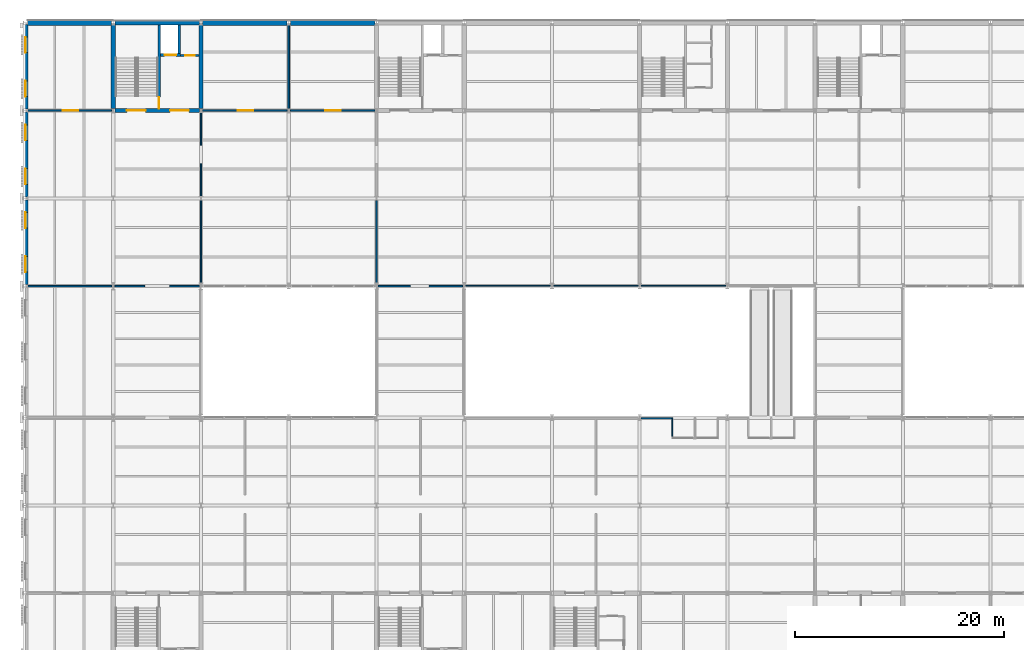
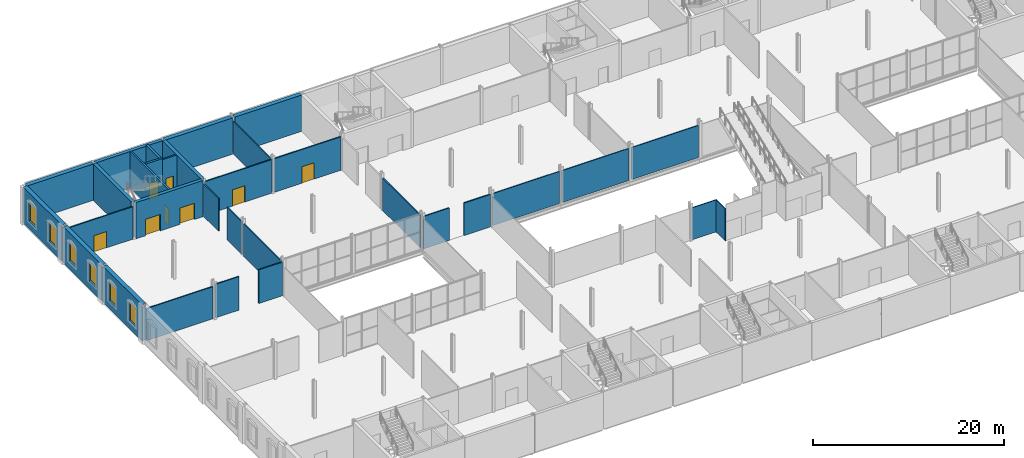
# One storey, part 29 of 57: 32 walls, 8 doors, 6 windows, 14 openings.
"""IFC4 building model written with IfcOpenShell, lengths in metres."""

from ifc_helpers import new_model, si_unit, direction, frame, frame_2d, origin, place, context, subcontext, project, spatial, rectangle, extrude, material, layer, layer_set, type_object, element, fill, save


model = new_model("IFC4")

# Units and contexts
model_context = context("Model", 3, precision=1e-05, world=origin(), true_north=direction((0.0, 1.0)))
body_context = subcontext(model_context, "Body", "Model", "MODEL_VIEW")
ifc_project = project(units=[si_unit("LENGTHUNIT", "METRE"), si_unit("AREAUNIT", "SQUARE_METRE"), si_unit("VOLUMEUNIT", "CUBIC_METRE"), si_unit("PLANEANGLEUNIT", "RADIAN"), si_unit("MASSUNIT", "GRAM", prefix="KILO")], contexts=[model_context])

# Site, building, storey
site_placement = place(None, origin())
site = spatial("IfcSite", under=ifc_project, at=site_placement, CompositionType="ELEMENT")
building_placement = place(site_placement, origin())
building = spatial("IfcBuilding", under=site, at=building_placement, Name="Galleria Vessillo Department Store", CompositionType="ELEMENT")
storey_placement = place(building_placement, frame((0.0, 0.0, 21.0)))
storey = spatial("IfcBuildingStorey", under=building, at=storey_placement, Name="L04", CompositionType="ELEMENT", Elevation=21.0)

# Walls
ifc_material_1 = material(Name="Fire-resisting glass in steel frame S355 J2", Category="steel")
ifc_layer_1 = layer(ifc_material_1, 0.10009765625)
ifc_layer_set_1 = layer_set([ifc_layer_1], Name="Fire-resisting glass in steel frame S355 J2")
wall_type_1 = type_object("IfcWallType", Name="Fire-resisting glazed screen EI 120-Sa 100 mm", PredefinedType="PARTITIONING", material=ifc_layer_set_1)
wall_1_placement = place(storey_placement, frame((58.952880859375, 25.14990234375, 0.0), z_axis=(0.0, 0.0, 1.0), x_axis=(1.0, 0.0, 0.0)))
element("IfcWall", 1, at=wall_1_placement, inside=storey, type_object=wall_type_1, Name="Fire screen, atrium edge L04", PredefinedType="PARTITIONING", context=body_context, shape_type="SweptSolid", body=[
    extrude(rectangle(XDim=2.897216796875, YDim=0.10009765625, at=frame_2d((1.44873046875, 0.0))), origin(), (0.0, 0.0, 1.0), 4.110107421875),
])
wall_2_placement = place(storey_placement, frame((42.152587890625, 37.85009765625, 0.0), z_axis=(0.0, 0.0, 1.0), x_axis=(1.0, 0.0, 0.0)))
element("IfcWall", 2, at=wall_2_placement, inside=storey, type_object=wall_type_1, Name="Fire screen, atrium edge L04", PredefinedType="PARTITIONING", context=body_context, shape_type="SweptSolid", body=[
    extrude(rectangle(XDim=8.094482421875, YDim=0.10009765625, at=frame_2d((4.04736328125, 0.0))), origin(), (0.0, 0.0, 1.0), 4.110107421875),
])
wall_3_placement = place(storey_placement, frame((50.552978515625, 37.85009765625, 0.0), z_axis=(0.0, 0.0, 1.0), x_axis=(1.0, 0.0, 0.0)))
element("IfcWall", 3, at=wall_3_placement, inside=storey, type_object=wall_type_1, Name="Fire screen, atrium edge L04", PredefinedType="PARTITIONING", context=body_context, shape_type="SweptSolid", body=[
    extrude(rectangle(XDim=8.093994140625, YDim=0.10009765625, at=frame_2d((4.046875, 0.0))), origin(), (0.0, 0.0, 1.0), 4.110107421875),
])
wall_4_placement = place(storey_placement, frame((58.952880859375, 37.85009765625, 0.0), z_axis=(0.0, 0.0, 1.0), x_axis=(1.0, 0.0, 0.0)))
element("IfcWall", 4, at=wall_4_placement, inside=storey, type_object=wall_type_1, Name="Fire screen, atrium edge L04", PredefinedType="PARTITIONING", context=body_context, shape_type="SweptSolid", body=[
    extrude(rectangle(XDim=8.09423828125, YDim=0.10009765625, at=frame_2d((4.047119140625, 0.0))), origin(), (0.0, 0.0, 1.0), 4.110107421875),
])
wall_5_placement = place(storey_placement, frame((61.900146484375, 25.199951171875, 0.0), z_axis=(0.0, 0.0, 1.0), x_axis=(0.0, -1.0, 0.0)))
element("IfcWall", 5, at=wall_5_placement, inside=storey, type_object=wall_type_1, Name="Fire screen, landing alcove side L04", PredefinedType="PARTITIONING", context=body_context, shape_type="SweptSolid", body=[
    extrude(rectangle(XDim=2.0, YDim=0.10009765625, at=frame_2d((1.0, 0.0))), origin(), (0.0, 0.0, 1.0), 4.110107421875),
])

# Wall, opening, door
ifc_material_2 = material(Name="Solid clay block masonry", Category="masonry")
ifc_layer_2 = layer(ifc_material_2, 0.25)
ifc_layer_set_2 = layer_set([ifc_layer_2], Name="Solid clay block masonry")
wall_type_2 = type_object("IfcWallType", Name="Lift shaft wall 250 mm", PredefinedType="SOLIDWALL", material=ifc_layer_set_2)
wall_6_placement = place(storey_placement, frame((12.89990234375, 59.925048828125, 0.0), z_axis=(0.0, 0.0, 1.0), x_axis=(1.0, 0.0, 0.0)))
wall_6 = element("IfcWall", 6, at=wall_6_placement, inside=storey, type_object=wall_type_2, Name="Lift shaft wall LP2 landing side L04", PredefinedType="SOLIDWALL", context=body_context, shape_type="SweptSolid", body=[
    extrude(rectangle(XDim=1.9501953125, YDim=0.25, at=frame_2d((0.97509765625, 0.0))), origin(), (0.0, 0.0, 1.0), 4.800048828125),
])
opening_1_placement = place(wall_6_placement, frame((0.425048828125, 0.0, 0.0)))
opening_1 = element("IfcOpeningElement", 7, at=opening_1_placement, cuts=wall_6, Name="Opening LD015", PredefinedType="OPENING", context=body_context, shape_type="SweptSolid", body=[
    extrude(rectangle(XDim=1.10009765625, YDim=2.10009765625, at=frame_2d((0.550048828125, 1.050048828125))), frame((0.0, 0.135009765625, 0.0), z_axis=(0.0, -1.0, 0.0), x_axis=(1.0, 0.0, 0.0)), (0.0, 0.0, 1.0), 0.27001953125),
])
ifc_material_3 = material(Name="Stainless steel lift door panel", Category="steel")
door_type_1 = type_object("IfcDoorType", Name="Lift landing door LD110 sliding 1100 x 2100", OperationType="SLIDING_TO_LEFT", PredefinedType="DOOR", material=ifc_material_3)
door_1_placement = place(opening_1_placement, frame((1.10009765625, 0.0, 0.0), z_axis=(0.0, 0.0, 1.0), x_axis=(-1.0, 0.0, 0.0)))
door_1 = element("IfcDoor", 8, at=door_1_placement, inside=storey, type_object=door_type_1, Name="Lift landing door LP2 L04", OperationType="SLIDING_TO_RIGHT", OverallHeight=2.10009765625, OverallWidth=1.10009765625, PredefinedType="DOOR", context=body_context, shape_type="SweptSolid", body=[
    extrude(rectangle(XDim=1.10009765625, YDim=2.10009765625, at=frame_2d((0.550048828125, 1.050048828125))), frame((0.0, 0.02490234375, 0.0), z_axis=(0.0, -1.0, 0.0), x_axis=(1.0, 0.0, 0.0)), (0.0, 0.0, 1.0), 0.050048828125),
])
fill(opening_1, door_1)

# Wall
wall_7_placement = place(storey_placement, frame((14.72509765625, 62.800048828125, 0.0), z_axis=(0.0, 0.0, 1.0), x_axis=(0.0, -1.0, 0.0)))
element("IfcWall", 9, at=wall_7_placement, inside=storey, type_object=wall_type_2, Name="Lift shaft wall LP2 L04", PredefinedType="SOLIDWALL", context=body_context, shape_type="SweptSolid", body=[
    extrude(rectangle(XDim=2.75, YDim=0.25, at=frame_2d((1.375, 0.0))), origin(), (0.0, 0.0, 1.0), 4.800048828125),
])

# Wall, openings, windows
ifc_material_4 = material(Name="Reinforced masonry, limestone units 80 MPa", Category="masonry")
ifc_layer_3 = layer(ifc_material_4, 0.5)
ifc_layer_set_3 = layer_set([ifc_layer_3], Name="Reinforced masonry, limestone units 80 MPa")
wall_type_3 = type_object("IfcWallType", Name="Load-bearing limestone-faced wall 500 mm", PredefinedType="STANDARD", material=ifc_layer_set_3)
wall_8_placement = place(storey_placement, frame((0.0, 37.949951171875, 0.0), z_axis=(0.0, 0.0, 1.0), x_axis=(0.0, 1.0, 0.0)))
wall_8 = element("IfcWall", 10, at=wall_8_placement, inside=storey, type_object=wall_type_3, Name="Load-bearing limestone-faced wall 500 mm SW-L04-05", PredefinedType="STANDARD", context=body_context, shape_type="SweptSolid", body=[
    extrude(rectangle(XDim=8.10009765625, YDim=0.5, at=frame_2d((4.050048828125, 0.0))), origin(), (0.0, 0.0, 1.0), 4.650146484375),
])
opening_2_placement = place(wall_8_placement, frame((1.199951171875, 0.0, 1.0)))
opening_2 = element("IfcOpeningElement", 11, at=opening_2_placement, cuts=wall_8, Name="Opening W048", PredefinedType="OPENING", context=body_context, shape_type="SweptSolid", body=[
    extrude(rectangle(XDim=1.5, YDim=2.39990234375, at=frame_2d((0.75, 1.199951171875))), frame((0.0, 0.260009765625, 0.0), z_axis=(0.0, -1.0, 0.0), x_axis=(1.0, 0.0, 0.0)), (0.0, 0.0, 1.0), 0.52001953125),
])
opening_3_placement = place(wall_8_placement, frame((5.400146484375, 0.0, 1.0)))
opening_3 = element("IfcOpeningElement", 12, at=opening_3_placement, cuts=wall_8, Name="Opening W049", PredefinedType="OPENING", context=body_context, shape_type="SweptSolid", body=[
    extrude(rectangle(XDim=1.5, YDim=2.39990234375, at=frame_2d((0.75, 1.199951171875))), frame((0.0, 0.260009765625, 0.0), z_axis=(0.0, -1.0, 0.0), x_axis=(1.0, 0.0, 0.0)), (0.0, 0.0, 1.0), 0.52001953125),
])
ifc_material_5 = material(Name="Aluminium frame with laminated glass 44.2", Category="aluminium")
window_type = type_object("IfcWindowType", Name="Third order window 1500 x 2400", PartitioningType="SINGLE_PANEL", PredefinedType="WINDOW", material=ifc_material_5)
window_1_placement = place(opening_2_placement, origin())
window_1 = element("IfcWindow", 13, at=window_1_placement, inside=storey, type_object=window_type, Name="E-WIN-SW-L04-05-048", OverallHeight=2.39990234375, OverallWidth=1.5, PartitioningType="SINGLE_PANEL", PredefinedType="WINDOW", context=body_context, shape_type="SweptSolid", body=[
    extrude(rectangle(XDim=1.5, YDim=2.39990234375, at=frame_2d((0.75, 1.199951171875))), frame((0.0, 0.030029296875, 0.0), z_axis=(0.0, -1.0, 0.0), x_axis=(1.0, 0.0, 0.0)), (0.0, 0.0, 1.0), 0.06005859375),
])
fill(opening_2, window_1)
window_2_placement = place(opening_3_placement, origin())
window_2 = element("IfcWindow", 14, at=window_2_placement, inside=storey, type_object=window_type, Name="E-WIN-SW-L04-05-049", OverallHeight=2.39990234375, OverallWidth=1.5, PartitioningType="SINGLE_PANEL", PredefinedType="WINDOW", context=body_context, shape_type="SweptSolid", body=[
    extrude(rectangle(XDim=1.5, YDim=2.39990234375, at=frame_2d((0.75, 1.199951171875))), frame((0.0, 0.030029296875, 0.0), z_axis=(0.0, -1.0, 0.0), x_axis=(1.0, 0.0, 0.0)), (0.0, 0.0, 1.0), 0.06005859375),
])
fill(opening_3, window_2)

wall_9_placement = place(storey_placement, frame((0.0, 46.349853515625, 0.0), z_axis=(0.0, 0.0, 1.0), x_axis=(0.0, 1.0, 0.0)))
wall_9 = element("IfcWall", 15, at=wall_9_placement, inside=storey, type_object=wall_type_3, Name="Load-bearing limestone-faced wall 500 mm SW-L04-06", PredefinedType="STANDARD", context=body_context, shape_type="SweptSolid", body=[
    extrude(rectangle(XDim=8.100341796875, YDim=0.5, at=frame_2d((4.05029296875, 0.0))), origin(), (0.0, 0.0, 1.0), 4.650146484375),
])
opening_4_placement = place(wall_9_placement, frame((1.2001953125, 0.0, 1.0)))
opening_4 = element("IfcOpeningElement", 16, at=opening_4_placement, cuts=wall_9, Name="Opening W050", PredefinedType="OPENING", context=body_context, shape_type="SweptSolid", body=[
    extrude(rectangle(XDim=1.5, YDim=2.39990234375, at=frame_2d((0.75, 1.199951171875))), frame((0.0, 0.260009765625, 0.0), z_axis=(0.0, -1.0, 0.0), x_axis=(1.0, 0.0, 0.0)), (0.0, 0.0, 1.0), 0.52001953125),
])
opening_5_placement = place(wall_9_placement, frame((5.400146484375, 0.0, 1.0)))
opening_5 = element("IfcOpeningElement", 17, at=opening_5_placement, cuts=wall_9, Name="Opening W051", PredefinedType="OPENING", context=body_context, shape_type="SweptSolid", body=[
    extrude(rectangle(XDim=1.5, YDim=2.39990234375, at=frame_2d((0.75, 1.199951171875))), frame((0.0, 0.260009765625, 0.0), z_axis=(0.0, -1.0, 0.0), x_axis=(1.0, 0.0, 0.0)), (0.0, 0.0, 1.0), 0.52001953125),
])
window_3_placement = place(opening_4_placement, origin())
window_3 = element("IfcWindow", 18, at=window_3_placement, inside=storey, type_object=window_type, Name="E-WIN-SW-L04-06-050", OverallHeight=2.39990234375, OverallWidth=1.5, PartitioningType="SINGLE_PANEL", PredefinedType="WINDOW", context=body_context, shape_type="SweptSolid", body=[
    extrude(rectangle(XDim=1.5, YDim=2.39990234375, at=frame_2d((0.75, 1.199951171875))), frame((0.0, 0.030029296875, 0.0), z_axis=(0.0, -1.0, 0.0), x_axis=(1.0, 0.0, 0.0)), (0.0, 0.0, 1.0), 0.06005859375),
])
fill(opening_4, window_3)
window_4_placement = place(opening_5_placement, origin())
window_4 = element("IfcWindow", 19, at=window_4_placement, inside=storey, type_object=window_type, Name="E-WIN-SW-L04-06-051", OverallHeight=2.39990234375, OverallWidth=1.5, PartitioningType="SINGLE_PANEL", PredefinedType="WINDOW", context=body_context, shape_type="SweptSolid", body=[
    extrude(rectangle(XDim=1.5, YDim=2.39990234375, at=frame_2d((0.75, 1.199951171875))), frame((0.0, 0.030029296875, 0.0), z_axis=(0.0, -1.0, 0.0), x_axis=(1.0, 0.0, 0.0)), (0.0, 0.0, 1.0), 0.06005859375),
])
fill(opening_5, window_4)

wall_10_placement = place(storey_placement, frame((0.0, 54.75, 0.0), z_axis=(0.0, 0.0, 1.0), x_axis=(0.0, 1.0, 0.0)))
wall_10 = element("IfcWall", 20, at=wall_10_placement, inside=storey, type_object=wall_type_3, Name="Load-bearing limestone-faced wall 500 mm SW-L04-07", PredefinedType="STANDARD", context=body_context, shape_type="SweptSolid", body=[
    extrude(rectangle(XDim=8.10009765625, YDim=0.5, at=frame_2d((4.050048828125, 0.0))), origin(), (0.0, 0.0, 1.0), 4.650146484375),
])
opening_6_placement = place(wall_10_placement, frame((1.199951171875, 0.0, 1.0)))
opening_6 = element("IfcOpeningElement", 21, at=opening_6_placement, cuts=wall_10, Name="Opening W052", PredefinedType="OPENING", context=body_context, shape_type="SweptSolid", body=[
    extrude(rectangle(XDim=1.5, YDim=2.39990234375, at=frame_2d((0.75, 1.199951171875))), frame((0.0, 0.260009765625, 0.0), z_axis=(0.0, -1.0, 0.0), x_axis=(1.0, 0.0, 0.0)), (0.0, 0.0, 1.0), 0.52001953125),
])
opening_7_placement = place(wall_10_placement, frame((5.39990234375, 0.0, 1.0)))
opening_7 = element("IfcOpeningElement", 22, at=opening_7_placement, cuts=wall_10, Name="Opening W053", PredefinedType="OPENING", context=body_context, shape_type="SweptSolid", body=[
    extrude(rectangle(XDim=1.5, YDim=2.39990234375, at=frame_2d((0.75, 1.199951171875))), frame((0.0, 0.260009765625, 0.0), z_axis=(0.0, -1.0, 0.0), x_axis=(1.0, 0.0, 0.0)), (0.0, 0.0, 1.0), 0.52001953125),
])
window_5_placement = place(opening_6_placement, origin())
window_5 = element("IfcWindow", 23, at=window_5_placement, inside=storey, type_object=window_type, Name="E-WIN-SW-L04-07-052", OverallHeight=2.39990234375, OverallWidth=1.5, PartitioningType="SINGLE_PANEL", PredefinedType="WINDOW", context=body_context, shape_type="SweptSolid", body=[
    extrude(rectangle(XDim=1.5, YDim=2.39990234375, at=frame_2d((0.75, 1.199951171875))), frame((0.0, 0.030029296875, 0.0), z_axis=(0.0, -1.0, 0.0), x_axis=(1.0, 0.0, 0.0)), (0.0, 0.0, 1.0), 0.06005859375),
])
fill(opening_6, window_5)
window_6_placement = place(opening_7_placement, origin())
window_6 = element("IfcWindow", 24, at=window_6_placement, inside=storey, type_object=window_type, Name="E-WIN-SW-L04-07-053", OverallHeight=2.39990234375, OverallWidth=1.5, PartitioningType="SINGLE_PANEL", PredefinedType="WINDOW", context=body_context, shape_type="SweptSolid", body=[
    extrude(rectangle(XDim=1.5, YDim=2.39990234375, at=frame_2d((0.75, 1.199951171875))), frame((0.0, 0.030029296875, 0.0), z_axis=(0.0, -1.0, 0.0), x_axis=(1.0, 0.0, 0.0)), (0.0, 0.0, 1.0), 0.06005859375),
])
fill(opening_7, window_6)

# Wall, openings, doors
ifc_material_6 = material(Name="Concrete C32/40 reinforced", Category="concrete")
ifc_layer_4 = layer(ifc_material_6, 0.39990234375)
ifc_layer_set_4 = layer_set([ifc_layer_4], Name="Concrete C32/40 reinforced")
wall_type_4 = type_object("IfcWallType", Name="Reinforced concrete core wall 400 mm", PredefinedType="SHEAR", material=ifc_layer_set_4)
wall_11_placement = place(storey_placement, frame((8.5498046875, 54.60009765625, 0.0), z_axis=(0.0, 0.0, 1.0), x_axis=(1.0, 0.0, 0.0)))
wall_11 = element("IfcWall", 25, at=wall_11_placement, inside=storey, type_object=wall_type_4, Name="S-CW-PC-NW-INTERIOR-L04", PredefinedType="SHEAR", context=body_context, shape_type="SweptSolid", body=[
    extrude(rectangle(XDim=8.100341796875, YDim=0.39990234375, at=frame_2d((4.05029296875, 0.0))), origin(), (0.0, 0.0, 1.0), 4.650146484375),
])
opening_8_placement = place(wall_11_placement, frame((1.150146484375, 0.0, 0.0)))
opening_8 = element("IfcOpeningElement", 26, at=opening_8_placement, cuts=wall_11, Name="Opening D5059", PredefinedType="OPENING", context=body_context, shape_type="SweptSolid", body=[
    extrude(rectangle(XDim=1.800048828125, YDim=2.10009765625, at=frame_2d((0.89990234375, 1.050048828125))), frame((0.0, 0.2099609375, 0.0), z_axis=(0.0, -1.0, 0.0), x_axis=(1.0, 0.0, 0.0)), (0.0, 0.0, 1.0), 0.419921875),
])
opening_9_placement = place(wall_11_placement, frame((5.300048828125, 0.0, 0.0)))
opening_9 = element("IfcOpeningElement", 27, at=opening_9_placement, cuts=wall_11, Name="Opening D5060", PredefinedType="OPENING", context=body_context, shape_type="SweptSolid", body=[
    extrude(rectangle(XDim=1.800048828125, YDim=2.10009765625, at=frame_2d((0.89990234375, 1.050048828125))), frame((0.0, 0.2099609375, 0.0), z_axis=(0.0, -1.0, 0.0), x_axis=(1.0, 0.0, 0.0)), (0.0, 0.0, 1.0), 0.419921875),
])
ifc_material_7 = material(Name="Fire-rated steel door leaf", Category="steel")
door_type_2 = type_object("IfcDoorType", Name="Door D180F double leaf 1800 x 2100", OperationType="DOUBLE_DOOR_SINGLE_SWING", PredefinedType="DOOR", material=ifc_material_7)
door_2_placement = place(opening_8_placement, origin())
door_2 = element("IfcDoor", 28, at=door_2_placement, inside=storey, type_object=door_type_2, Name="Lobby door PC-NW-ST-FLOOR L04", OperationType="DOUBLE_DOOR_SINGLE_SWING", OverallHeight=2.10009765625, OverallWidth=1.800048828125, PredefinedType="DOOR", context=body_context, shape_type="SweptSolid", body=[
    extrude(rectangle(XDim=1.800048828125, YDim=2.10009765625, at=frame_2d((0.89990234375, 1.050048828125))), frame((0.0, 0.02490234375, 0.0), z_axis=(0.0, -1.0, 0.0), x_axis=(1.0, 0.0, 0.0)), (0.0, 0.0, 1.0), 0.050048828125),
])
fill(opening_8, door_2)
door_3_placement = place(opening_9_placement, origin())
door_3 = element("IfcDoor", 29, at=door_3_placement, inside=storey, type_object=door_type_2, Name="Lobby door PC-NW-LOBBY-FLOOR L04", OperationType="DOUBLE_DOOR_SINGLE_SWING", OverallHeight=2.10009765625, OverallWidth=1.800048828125, PredefinedType="DOOR", context=body_context, shape_type="SweptSolid", body=[
    extrude(rectangle(XDim=1.800048828125, YDim=2.10009765625, at=frame_2d((0.89990234375, 1.050048828125))), frame((0.0, 0.02490234375, 0.0), z_axis=(0.0, -1.0, 0.0), x_axis=(1.0, 0.0, 0.0)), (0.0, 0.0, 1.0), 0.050048828125),
])
fill(opening_9, door_3)

# Walls
wall_12_placement = place(storey_placement, frame((16.800048828125, 54.800048828125, 0.0), z_axis=(0.0, 0.0, 1.0), x_axis=(0.0, 1.0, 0.0)))
element("IfcWall", 30, at=wall_12_placement, inside=storey, type_object=wall_type_4, Name="S-CW-PC-NW-EAST-L04", PredefinedType="SHEAR", context=body_context, shape_type="SweptSolid", body=[
    extrude(rectangle(XDim=8.0, YDim=0.39990234375, at=frame_2d((4.0, 0.0))), origin(), (0.0, 0.0, 1.0), 4.650146484375),
])
ifc_material_8 = material(Name="Concrete C32/40 reinforced", Category="concrete")
ifc_layer_5 = layer(ifc_material_8, 0.39990234375)
ifc_layer_set_5 = layer_set([ifc_layer_5], Name="Concrete C32/40 reinforced")
wall_type_5 = type_object("IfcWallType", Name="Reinforced concrete core wall 400 mm, external", PredefinedType="SHEAR", material=ifc_layer_set_5)
wall_13_placement = place(storey_placement, frame((8.5498046875, 63.0, 0.0), z_axis=(0.0, 0.0, 1.0), x_axis=(1.0, 0.0, 0.0)))
element("IfcWall", 31, at=wall_13_placement, inside=storey, type_object=wall_type_5, Name="S-CW-PC-NW-PARTY-L04", PredefinedType="SHEAR", context=body_context, shape_type="SweptSolid", body=[
    extrude(rectangle(XDim=8.100341796875, YDim=0.39990234375, at=frame_2d((4.05029296875, 0.0))), origin(), (0.0, 0.0, 1.0), 4.650146484375),
])
wall_14_placement = place(storey_placement, frame((8.39990234375, 54.800048828125, 0.0), z_axis=(0.0, 0.0, 1.0), x_axis=(0.0, 1.0, 0.0)))
element("IfcWall", 32, at=wall_14_placement, inside=storey, type_object=wall_type_5, Name="S-CW-PC-NW-WEST-L04", PredefinedType="SHEAR", context=body_context, shape_type="SweptSolid", body=[
    extrude(rectangle(XDim=8.0, YDim=0.39990234375, at=frame_2d((4.0, 0.0))), origin(), (0.0, 0.0, 1.0), 4.650146484375),
])
ifc_material_9 = material(Name="Concrete C32/40 reinforced", Category="concrete")
ifc_layer_6 = layer(ifc_material_9, 0.5)
ifc_layer_set_6 = layer_set([ifc_layer_6], Name="Concrete C32/40 reinforced")
wall_type_6 = type_object("IfcWallType", Name="Reinforced concrete party wall 500 mm", PredefinedType="SHEAR", material=ifc_layer_set_6)
wall_15_placement = place(storey_placement, frame((0.199951171875, 63.0, 0.0), z_axis=(0.0, 0.0, 1.0), x_axis=(1.0, 0.0, 0.0)))
element("IfcWall", 33, at=wall_15_placement, inside=storey, type_object=wall_type_6, Name="S-PN-L04-01", PredefinedType="SHEAR", context=body_context, shape_type="SweptSolid", body=[
    extrude(rectangle(XDim=8.050048828125, YDim=0.5, at=frame_2d((4.02490234375, 0.0))), origin(), (0.0, 0.0, 1.0), 4.650146484375),
])
wall_16_placement = place(storey_placement, frame((16.949951171875, 63.0, 0.0), z_axis=(0.0, 0.0, 1.0), x_axis=(1.0, 0.0, 0.0)))
element("IfcWall", 34, at=wall_16_placement, inside=storey, type_object=wall_type_6, Name="S-PN-L04-02", PredefinedType="SHEAR", context=body_context, shape_type="SweptSolid", body=[
    extrude(rectangle(XDim=8.10009765625, YDim=0.5, at=frame_2d((4.050048828125, 0.0))), origin(), (0.0, 0.0, 1.0), 4.650146484375),
])
wall_17_placement = place(storey_placement, frame((25.349853515625, 63.0, 0.0), z_axis=(0.0, 0.0, 1.0), x_axis=(1.0, 0.0, 0.0)))
element("IfcWall", 35, at=wall_17_placement, inside=storey, type_object=wall_type_6, Name="S-PN-L04-03", PredefinedType="SHEAR", context=body_context, shape_type="SweptSolid", body=[
    extrude(rectangle(XDim=8.100341796875, YDim=0.5, at=frame_2d((4.05029296875, 0.0))), origin(), (0.0, 0.0, 1.0), 4.650146484375),
])

# Wall, opening, door
ifc_material_10 = material(Name="Concrete C32/40 reinforced", Category="concrete")
ifc_layer_7 = layer(ifc_material_10, 0.199951171875)
ifc_layer_set_7 = layer_set([ifc_layer_7], Name="Concrete C32/40 reinforced")
wall_type_7 = type_object("IfcWallType", Name="Reinforced concrete stair enclosure wall 200 mm", PredefinedType="SHEAR", material=ifc_layer_set_7)
wall_18_placement = place(storey_placement, frame((12.7998046875, 62.800048828125, 0.0), z_axis=(0.0, 0.0, 1.0), x_axis=(0.0, -1.0, 0.0)))
wall_18 = element("IfcWall", 36, at=wall_18_placement, inside=storey, type_object=wall_type_7, Name="Stair enclosure wall PC-NW L04", PredefinedType="SHEAR", context=body_context, shape_type="SweptSolid", body=[
    extrude(rectangle(XDim=8.0, YDim=0.199951171875, at=frame_2d((4.0, 0.0))), origin(), (0.0, 0.0, 1.0), 4.64990234375),
])
opening_10_placement = place(wall_18_placement, frame((6.89990234375, 0.0, 0.0)))
opening_10 = element("IfcOpeningElement", 37, at=opening_10_placement, cuts=wall_18, Name="Opening D5057", PredefinedType="OPENING", context=body_context, shape_type="SweptSolid", body=[
    extrude(rectangle(XDim=1.11009765625, YDim=2.10009765625, at=frame_2d((0.554931640625, 1.050048828125))), frame((0.0, 0.10986328125, 0.0), z_axis=(0.0, -1.0, 0.0), x_axis=(1.0, 0.0, 0.0)), (0.0, 0.0, 1.0), 0.219970703125),
])
ifc_material_11 = material(Name="Fire-rated steel door leaf", Category="steel")
door_type_3 = type_object("IfcDoorType", Name="Door D110F stair door 1100 x 2100", OperationType="SINGLE_SWING_LEFT", PredefinedType="DOOR", material=ifc_material_11)
door_4_placement = place(opening_10_placement, frame((1.10009765625, 0.0, 0.0), z_axis=(0.0, 0.0, 1.0), x_axis=(-1.0, 0.0, 0.0)))
door_4 = element("IfcDoor", 38, at=door_4_placement, inside=storey, type_object=door_type_3, Name="Stair door PC-NW-ST-LOBBY L04", OperationType="SINGLE_SWING_LEFT", OverallHeight=2.10009765625, OverallWidth=1.10009765625, PredefinedType="DOOR", context=body_context, shape_type="SweptSolid", body=[
    extrude(rectangle(XDim=1.10009765625, YDim=2.10009765625, at=frame_2d((0.550048828125, 1.050048828125))), frame((0.0, 0.02490234375, 0.0), z_axis=(0.0, -1.0, 0.0), x_axis=(1.0, 0.0, 0.0)), (0.0, 0.0, 1.0), 0.050048828125),
])
fill(opening_10, door_4)

ifc_material_12 = material(Name="Hollow clay block masonry", Category="masonry")
ifc_layer_8 = layer(ifc_material_12, 0.199951171875)
ifc_layer_set_8 = layer_set([ifc_layer_8], Name="Hollow clay block masonry")
wall_type_8 = type_object("IfcWallType", Name="Riser and service room wall 200 mm", PredefinedType="PARTITIONING", material=ifc_layer_set_8)
wall_19_placement = place(storey_placement, frame((14.85009765625, 59.900146484375, 0.0), z_axis=(0.0, 0.0, 1.0), x_axis=(1.0, 0.0, 0.0)))
wall_19 = element("IfcWall", 39, at=wall_19_placement, inside=storey, type_object=wall_type_8, Name="Riser wall PC-NW-RISER L04", PredefinedType="PARTITIONING", context=body_context, shape_type="SweptSolid", body=[
    extrude(rectangle(XDim=1.75, YDim=0.199951171875, at=frame_2d((0.875, 0.0))), origin(), (0.0, 0.0, 1.0), 4.64990234375),
])
opening_11_placement = place(wall_19_placement, frame((0.449951171875, 0.0, 0.0)))
opening_11 = element("IfcOpeningElement", 40, at=opening_11_placement, cuts=wall_19, Name="Opening D5058", PredefinedType="OPENING", context=body_context, shape_type="SweptSolid", body=[
    extrude(rectangle(XDim=0.89990234375, YDim=2.10009765625, at=frame_2d((0.449951171875, 1.050048828125))), frame((0.0, 0.10986328125, 0.0), z_axis=(0.0, -1.0, 0.0), x_axis=(1.0, 0.0, 0.0)), (0.0, 0.0, 1.0), 0.219970703125),
])
ifc_material_13 = material(Name="Fire-rated steel door leaf", Category="steel")
door_type_4 = type_object("IfcDoorType", Name="Door DR90 riser access 900 x 2100", OperationType="SINGLE_SWING_LEFT", PredefinedType="DOOR", material=ifc_material_13)
door_5_placement = place(opening_11_placement, origin())
door_5 = element("IfcDoor", 41, at=door_5_placement, inside=storey, type_object=door_type_4, Name="Riser door PC-NW-RISER-D L04", OperationType="SINGLE_SWING_RIGHT", OverallHeight=2.10009765625, OverallWidth=0.89990234375, PredefinedType="DOOR", context=body_context, shape_type="SweptSolid", body=[
    extrude(rectangle(XDim=0.89990234375, YDim=2.10009765625, at=frame_2d((0.449951171875, 1.050048828125))), frame((0.0, 0.02490234375, 0.0), z_axis=(0.0, -1.0, 0.0), x_axis=(1.0, 0.0, 0.0)), (0.0, 0.0, 1.0), 0.050048828125),
])
fill(opening_11, door_5)

# Walls
ifc_material_14 = material(Name="Gypsum board partition")
ifc_layer_9 = layer(ifc_material_14, 0.139892578125)
ifc_layer_set_9 = layer_set([ifc_layer_9], Name="Gypsum board partition")
wall_type_9 = type_object("IfcWallType", Name="Sales dividing wall 140 mm", PredefinedType="PARTITIONING", material=ifc_layer_set_9)
wall_20_placement = place(storey_placement, frame((16.800048828125, 38.134033203125, 0.0), z_axis=(0.0, 0.0, 1.0), x_axis=(0.0, 1.0, 0.0)))
element("IfcWall", 42, at=wall_20_placement, inside=storey, type_object=wall_type_9, Name="Partition wall PT3 on L04 no. 058", PredefinedType="PARTITIONING", context=body_context, shape_type="SweptSolid", body=[
    extrude(rectangle(XDim=7.865966796875, YDim=0.139892578125, at=frame_2d((3.93310546875, 0.0))), origin(), (0.0, 0.0, 1.0), 4.159912109375),
])
for number, where, z_axis, x_axis, name in (
    (43, (16.800048828125, 46.39990234375, 0.0), (0.0, 0.0, 1.0), (0.0, 1.0, 0.0), "Partition wall PT3 on L04 no. 059"),
    (44, (16.800048828125, 51.300048828125, 0.0), (0.0, 0.0, 1.0), (0.0, 1.0, 0.0), "Partition wall PT3 on L04 no. 060"),
):
    element("IfcWall", number, at=place(storey_placement, frame(where, z_axis=z_axis, x_axis=x_axis)), inside=storey, type_object=wall_type_9, Name=name, PredefinedType="PARTITIONING", context=body_context, shape_type="SweptSolid", body=[
        extrude(rectangle(XDim=3.10009765625, YDim=0.139892578125, at=frame_2d((1.550048828125, 0.0))), origin(), (0.0, 0.0, 1.0), 4.159912109375),
    ])
wall_21_placement = place(storey_placement, frame((0.199951171875, 37.800048828125, 0.0), z_axis=(0.0, 0.0, 1.0), x_axis=(1.0, 0.0, 0.0)))
element("IfcWall", 45, at=wall_21_placement, inside=storey, type_object=wall_type_9, Name="Partition wall PT3 on L04 no. 061", PredefinedType="PARTITIONING", context=body_context, shape_type="SweptSolid", body=[
    extrude(rectangle(XDim=8.04736328125, YDim=0.139892578125, at=frame_2d((4.023681640625, 0.0))), origin(), (0.0, 0.0, 1.0), 4.110107421875),
])
wall_22_placement = place(storey_placement, frame((8.552490234375, 37.800048828125, 0.0), z_axis=(0.0, 0.0, 1.0), x_axis=(1.0, 0.0, 0.0)))
element("IfcWall", 46, at=wall_22_placement, inside=storey, type_object=wall_type_9, Name="Partition wall PT3 on L04 no. 062", PredefinedType="PARTITIONING", context=body_context, shape_type="SweptSolid", body=[
    extrude(rectangle(XDim=2.849853515625, YDim=0.139892578125, at=frame_2d((1.4248046875, 0.0))), origin(), (0.0, 0.0, 1.0), 4.300048828125),
])
wall_23_placement = place(storey_placement, frame((13.802490234375, 37.800048828125, 0.0), z_axis=(0.0, 0.0, 1.0), x_axis=(1.0, 0.0, 0.0)))
element("IfcWall", 47, at=wall_23_placement, inside=storey, type_object=wall_type_9, Name="Partition wall PT3 on L04 no. 063", PredefinedType="PARTITIONING", context=body_context, shape_type="SweptSolid", body=[
    extrude(rectangle(XDim=2.844970703125, YDim=0.139892578125, at=frame_2d((1.42236328125, 0.0))), origin(), (0.0, 0.0, 1.0), 4.300048828125),
])
wall_24_placement = place(storey_placement, frame((33.60009765625, 38.110107421875, 0.0), z_axis=(0.0, 0.0, 1.0), x_axis=(0.0, 1.0, 0.0)))
element("IfcWall", 48, at=wall_24_placement, inside=storey, type_object=wall_type_9, Name="Partition wall PT3 on L04 no. 064", PredefinedType="PARTITIONING", context=body_context, shape_type="SweptSolid", body=[
    extrude(rectangle(XDim=7.889892578125, YDim=0.139892578125, at=frame_2d((3.94482421875, 0.0))), origin(), (0.0, 0.0, 1.0), 4.159912109375),
])
wall_25_placement = place(storey_placement, frame((33.752685546875, 37.800048828125, 0.0), z_axis=(0.0, 0.0, 1.0), x_axis=(1.0, 0.0, 0.0)))
element("IfcWall", 49, at=wall_25_placement, inside=storey, type_object=wall_type_9, Name="Partition wall PT3 on L04 no. 070", PredefinedType="PARTITIONING", context=body_context, shape_type="SweptSolid", body=[
    extrude(rectangle(XDim=3.099853515625, YDim=0.139892578125, at=frame_2d((1.5498046875, 0.0))), origin(), (0.0, 0.0, 1.0), 4.159912109375),
])
wall_26_placement = place(storey_placement, frame((38.652587890625, 37.800048828125, 0.0), z_axis=(0.0, 0.0, 1.0), x_axis=(1.0, 0.0, 0.0)))
element("IfcWall", 50, at=wall_26_placement, inside=storey, type_object=wall_type_9, Name="Partition wall PT3 on L04 no. 071", PredefinedType="PARTITIONING", context=body_context, shape_type="SweptSolid", body=[
    extrude(rectangle(XDim=3.19482421875, YDim=0.139892578125, at=frame_2d((1.597412109375, 0.0))), origin(), (0.0, 0.0, 1.0), 4.159912109375),
])
ifc_material_15 = material(Name="Concrete blockwork", Category="masonry")
ifc_layer_10 = layer(ifc_material_15, 0.14990234375)
ifc_layer_set_10 = layer_set([ifc_layer_10], Name="Concrete blockwork")
wall_type_10 = type_object("IfcWallType", Name="Stockroom blockwork wall 150 mm", PredefinedType="SOLIDWALL", material=ifc_layer_set_10)
wall_27_placement = place(storey_placement, frame((25.199951171875, 54.800048828125, 0.0), z_axis=(0.0, 0.0, 1.0), x_axis=(0.0, 1.0, 0.0)))
element("IfcWall", 51, at=wall_27_placement, inside=storey, type_object=wall_type_10, Name="Partition wall PT4 on L04 no. 028", PredefinedType="SOLIDWALL", context=body_context, shape_type="SweptSolid", body=[
    extrude(rectangle(XDim=8.0, YDim=0.14990234375, at=frame_2d((4.0, 0.0))), origin(), (0.0, 0.0, 1.0), 4.159912109375),
])

# Wall, opening, door
wall_28_placement = place(storey_placement, frame((16.949951171875, 54.60009765625, 0.0), z_axis=(0.0, 0.0, 1.0), x_axis=(1.0, 0.0, 0.0)))
wall_28 = element("IfcWall", 52, at=wall_28_placement, inside=storey, type_object=wall_type_10, Name="Partition wall PT4 on L04 no. 029", PredefinedType="SOLIDWALL", context=body_context, shape_type="SweptSolid", body=[
    extrude(rectangle(XDim=8.10009765625, YDim=0.14990234375, at=frame_2d((4.050048828125, 0.0))), origin(), (0.0, 0.0, 1.0), 4.300048828125),
])
opening_12_placement = place(wall_28_placement, frame((3.35009765625, 0.0, 0.0)))
opening_12 = element("IfcOpeningElement", 53, at=opening_12_placement, cuts=wall_28, Name="Opening D2617", PredefinedType="OPENING", context=body_context, shape_type="SweptSolid", body=[
    extrude(rectangle(XDim=1.5, YDim=2.10009765625, at=frame_2d((0.75, 1.050048828125))), frame((0.0, 0.0849609375, 0.0), z_axis=(0.0, -1.0, 0.0), x_axis=(1.0, 0.0, 0.0)), (0.0, 0.0, 1.0), 0.169921875),
])
ifc_material_16 = material(Name="Steel fire door leaf", Category="steel")
door_type_5 = type_object("IfcDoorType", Name="Stockroom fire door 1500 double leaf", OperationType="DOUBLE_DOOR_SINGLE_SWING", PredefinedType="DOOR", material=ifc_material_16)
door_6_placement = place(opening_12_placement, origin())
door_6 = element("IfcDoor", 54, at=door_6_placement, inside=storey, type_object=door_type_5, Name="Door D2617", OperationType="DOUBLE_DOOR_SINGLE_SWING", OverallHeight=2.10009765625, OverallWidth=1.5, PredefinedType="DOOR", context=body_context, shape_type="SweptSolid", body=[
    extrude(rectangle(XDim=1.5, YDim=2.10009765625, at=frame_2d((0.75, 1.050048828125))), frame((0.0, 0.02490234375, 0.0), z_axis=(0.0, -1.0, 0.0), x_axis=(1.0, 0.0, 0.0)), (0.0, 0.0, 1.0), 0.050048828125),
])
fill(opening_12, door_6)

wall_29_placement = place(storey_placement, frame((25.349853515625, 54.60009765625, 0.0), z_axis=(0.0, 0.0, 1.0), x_axis=(1.0, 0.0, 0.0)))
wall_29 = element("IfcWall", 55, at=wall_29_placement, inside=storey, type_object=wall_type_10, Name="Partition wall PT4 on L04 no. 030", PredefinedType="SOLIDWALL", context=body_context, shape_type="SweptSolid", body=[
    extrude(rectangle(XDim=8.100341796875, YDim=0.14990234375, at=frame_2d((4.05029296875, 0.0))), origin(), (0.0, 0.0, 1.0), 4.300048828125),
])
opening_13_placement = place(wall_29_placement, frame((3.35009765625, 0.0, 0.0)))
opening_13 = element("IfcOpeningElement", 56, at=opening_13_placement, cuts=wall_29, Name="Opening D2618", PredefinedType="OPENING", context=body_context, shape_type="SweptSolid", body=[
    extrude(rectangle(XDim=1.5, YDim=2.10009765625, at=frame_2d((0.75, 1.050048828125))), frame((0.0, 0.0849609375, 0.0), z_axis=(0.0, -1.0, 0.0), x_axis=(1.0, 0.0, 0.0)), (0.0, 0.0, 1.0), 0.169921875),
])
door_7_placement = place(opening_13_placement, origin())
door_7 = element("IfcDoor", 57, at=door_7_placement, inside=storey, type_object=door_type_5, Name="Door D2618", OperationType="DOUBLE_DOOR_SINGLE_SWING", OverallHeight=2.10009765625, OverallWidth=1.5, PredefinedType="DOOR", context=body_context, shape_type="SweptSolid", body=[
    extrude(rectangle(XDim=1.5, YDim=2.10009765625, at=frame_2d((0.75, 1.050048828125))), frame((0.0, 0.02490234375, 0.0), z_axis=(0.0, -1.0, 0.0), x_axis=(1.0, 0.0, 0.0)), (0.0, 0.0, 1.0), 0.050048828125),
])
fill(opening_13, door_7)

wall_30_placement = place(storey_placement, frame((0.199951171875, 54.60009765625, 0.0), z_axis=(0.0, 0.0, 1.0), x_axis=(1.0, 0.0, 0.0)))
wall_30 = element("IfcWall", 58, at=wall_30_placement, inside=storey, type_object=wall_type_10, Name="Partition wall PT4 on L04 no. 036", PredefinedType="SOLIDWALL", context=body_context, shape_type="SweptSolid", body=[
    extrude(rectangle(XDim=8.050048828125, YDim=0.14990234375, at=frame_2d((4.02490234375, 0.0))), origin(), (0.0, 0.0, 1.0), 4.159912109375),
])
opening_14_placement = place(wall_30_placement, frame((3.35009765625, 0.0, 0.0)))
opening_14 = element("IfcOpeningElement", 59, at=opening_14_placement, cuts=wall_30, Name="Opening D2622", PredefinedType="OPENING", context=body_context, shape_type="SweptSolid", body=[
    extrude(rectangle(XDim=1.5, YDim=2.10009765625, at=frame_2d((0.75, 1.050048828125))), frame((0.0, 0.0849609375, 0.0), z_axis=(0.0, -1.0, 0.0), x_axis=(1.0, 0.0, 0.0)), (0.0, 0.0, 1.0), 0.169921875),
])
door_8_placement = place(opening_14_placement, origin())
door_8 = element("IfcDoor", 60, at=door_8_placement, inside=storey, type_object=door_type_5, Name="Door D2622", OperationType="DOUBLE_DOOR_SINGLE_SWING", OverallHeight=2.10009765625, OverallWidth=1.5, PredefinedType="DOOR", context=body_context, shape_type="SweptSolid", body=[
    extrude(rectangle(XDim=1.5, YDim=2.10009765625, at=frame_2d((0.75, 1.050048828125))), frame((0.0, 0.02490234375, 0.0), z_axis=(0.0, -1.0, 0.0), x_axis=(1.0, 0.0, 0.0)), (0.0, 0.0, 1.0), 0.050048828125),
])
fill(opening_14, door_8)

save(model, "model.ifc")
